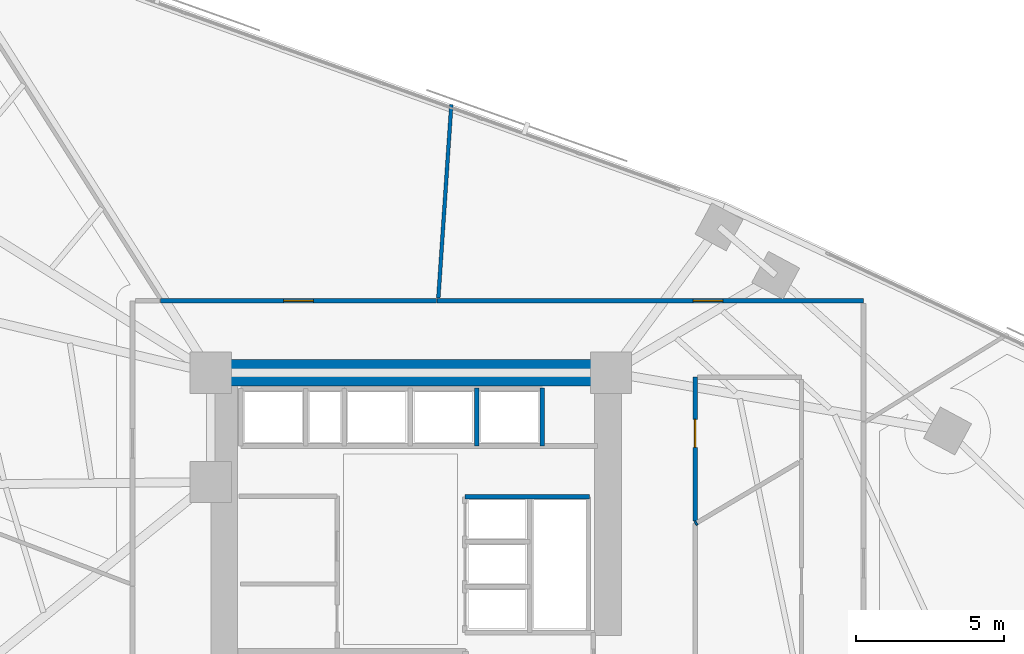
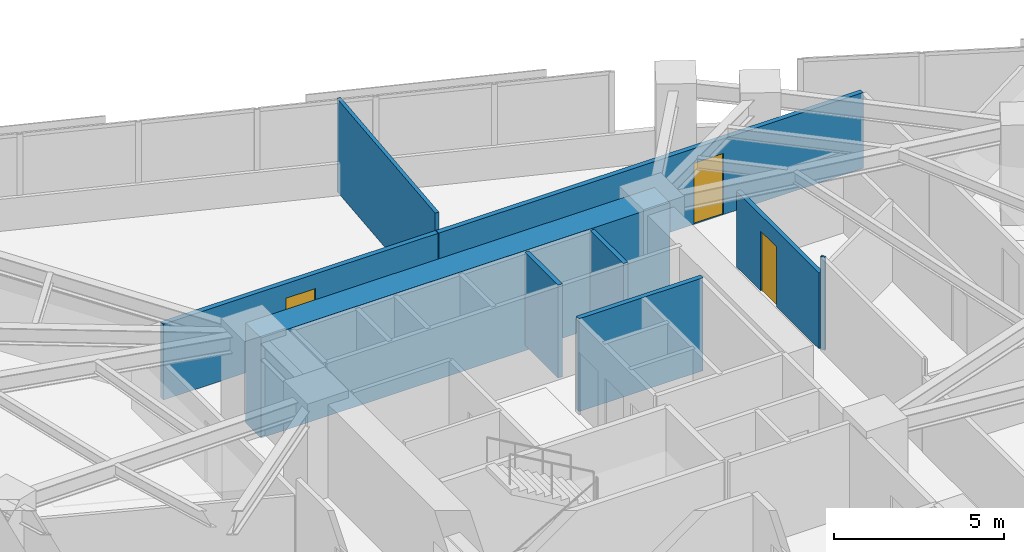
# One storey, part 12 of 16: 9 walls, 3 doors, 3 openings.
"""IFC4 building model written with IfcOpenShell, lengths in metres."""

from ifc_helpers import new_model, si_unit, direction, frame, frame_2d, origin, place, context, subcontext, project, spatial, rectangle, extrude, material, layer, layer_set, type_object, element, fill, save


model = new_model("IFC4")

# Units and contexts
model_context = context("Model", 3, precision=1e-05, world=origin(), true_north=direction((0.0, 1.0)))
body_context = subcontext(model_context, "Body", "Model", "MODEL_VIEW")
ifc_project = project(units=[si_unit("LENGTHUNIT", "METRE"), si_unit("AREAUNIT", "SQUARE_METRE"), si_unit("VOLUMEUNIT", "CUBIC_METRE"), si_unit("PLANEANGLEUNIT", "RADIAN"), si_unit("MASSUNIT", "GRAM", prefix="KILO")], contexts=[model_context])

# Site, building, storey
site_placement = place(None, origin())
site = spatial("IfcSite", under=ifc_project, at=site_placement, CompositionType="ELEMENT")
building_placement = place(site_placement, origin())
building = spatial("IfcBuilding", under=site, at=building_placement, Name="Narakoshi Arena Tower", CompositionType="ELEMENT")
storey_placement = place(building_placement, frame((0.0, 0.0, 153.89990234375)))
storey = spatial("IfcBuildingStorey", under=building, at=storey_placement, Name="L41", CompositionType="ELEMENT", Elevation=153.89990234375)

# Wall
ifc_material_1 = material(Name="Concrete C60/75", Category="concrete")
ifc_layer_1 = layer(ifc_material_1, 0.89990234375)
ifc_layer_set_1 = layer_set([ifc_layer_1], Name="Concrete C60/75")
wall_type_1 = type_object("IfcWallType", Name="WL-CORE-900", PredefinedType="SHEAR", material=ifc_layer_set_1)
wall_1_placement = place(storey_placement, frame((72.0, 56.5, -0.260009765625), z_axis=(0.0, 0.0, 1.0), x_axis=(1.0, 0.0, 0.0)))
element("IfcWall", 1, at=wall_1_placement, inside=storey, type_object=wall_type_1, Name="L41 Main Core Shear Wall CW-MN-N", PredefinedType="SHEAR", context=body_context, shape_type="SweptSolid", body=[
    extrude(rectangle(XDim=13.89990234375, YDim=0.89990234375, at=frame_2d((6.949951171875, 0.0))), origin(), (0.0, 0.0, 1.0), 3.60009765625),
])

# Wall, opening, door
ifc_material_2 = material(Name="Gypsum plasterboard fire-rated partition")
ifc_layer_2 = layer(ifc_material_2, 0.1650390625)
ifc_layer_set_2 = layer_set([ifc_layer_2], Name="Gypsum plasterboard fire-rated partition")
wall_type_2 = type_object("IfcWallType", Name="WL-CORR-165", PredefinedType="PARTITIONING", material=ifc_layer_set_2)
wall_2_placement = place(storey_placement, frame((94.09619140625, 58.93701171875, 0.0), z_axis=(0.0, 0.0, 1.0), x_axis=(-1.0, 0.0, 0.0)))
wall_2 = element("IfcWall", 2, at=wall_2_placement, inside=storey, type_object=wall_type_2, Name="L41 Corridor Partition 06-1", PredefinedType="PARTITIONING", context=body_context, shape_type="SweptSolid", body=[
    extrude(rectangle(XDim=14.433349609375, YDim=0.1650390625, at=frame_2d((7.216796875, 0.0))), origin(), (0.0, 0.0, 1.0), 2.72509765625),
])
opening_1_placement = place(wall_2_placement, frame((4.76171875, 0.0, 0.0)))
opening_1 = element("IfcOpeningElement", 3, at=opening_1_placement, cuts=wall_2, Name="Opening D-06", PredefinedType="OPENING", context=body_context, shape_type="SweptSolid", body=[
    extrude(rectangle(XDim=1.0, YDim=2.199951171875, at=frame_2d((0.5, 1.10009765625))), frame((0.0, 0.092529296875, 0.0), z_axis=(0.0, -1.0, 0.0), x_axis=(1.0, 0.0, 0.0)), (0.0, 0.0, 1.0), 0.18505859375),
])
ifc_material_3 = material(Name="Stained oak solid-core timber", Category="wood")
door_type_1 = type_object("IfcDoorType", Name="DR-OFF-1000", OperationType="NOTDEFINED", PredefinedType="DOOR", material=ifc_material_3)
door_1_placement = place(opening_1_placement, frame((1.0, 0.0, 0.0), z_axis=(0.0, 0.0, 1.0), x_axis=(-1.0, 0.0, 0.0)))
door_1 = element("IfcDoor", 4, at=door_1_placement, inside=storey, type_object=door_type_1, Name="DR-L41-020", OperationType="SINGLE_SWING_RIGHT", OverallHeight=2.199951171875, OverallWidth=1.0, PredefinedType="DOOR", context=body_context, shape_type="SweptSolid", body=[
    extrude(rectangle(XDim=1.0, YDim=2.199951171875, at=frame_2d((0.5, 1.10009765625))), frame((0.0, 0.02490234375, 0.0), z_axis=(0.0, -1.0, 0.0), x_axis=(1.0, 0.0, 0.0)), (0.0, 0.0, 1.0), 0.050048828125),
])
fill(opening_1, door_1)

wall_3_placement = place(storey_placement, frame((79.638916015625, 58.93701171875, 0.0), z_axis=(0.0, 0.0, 1.0), x_axis=(-1.0, 0.0, 0.0)))
wall_3 = element("IfcWall", 5, at=wall_3_placement, inside=storey, type_object=wall_type_2, Name="L41 Corridor Partition 07-1", PredefinedType="PARTITIONING", context=body_context, shape_type="SweptSolid", body=[
    extrude(rectangle(XDim=9.337646484375, YDim=0.1650390625, at=frame_2d((4.6689453125, 0.0))), origin(), (0.0, 0.0, 1.0), 2.72509765625),
])
opening_2_placement = place(wall_3_placement, frame((4.168701171875, 0.0, 0.0)))
opening_2 = element("IfcOpeningElement", 6, at=opening_2_placement, cuts=wall_3, Name="Opening D-06", PredefinedType="OPENING", context=body_context, shape_type="SweptSolid", body=[
    extrude(rectangle(XDim=1.0, YDim=2.199951171875, at=frame_2d((0.5, 1.10009765625))), frame((0.0, 0.092529296875, 0.0), z_axis=(0.0, -1.0, 0.0), x_axis=(1.0, 0.0, 0.0)), (0.0, 0.0, 1.0), 0.18505859375),
])
door_2_placement = place(opening_2_placement, frame((1.0, 0.0, 0.0), z_axis=(0.0, 0.0, 1.0), x_axis=(-1.0, 0.0, 0.0)))
door_2 = element("IfcDoor", 7, at=door_2_placement, inside=storey, type_object=door_type_1, Name="DR-L41-021", OperationType="SINGLE_SWING_LEFT", OverallHeight=2.199951171875, OverallWidth=1.0, PredefinedType="DOOR", context=body_context, shape_type="SweptSolid", body=[
    extrude(rectangle(XDim=1.0, YDim=2.199951171875, at=frame_2d((0.5, 1.10009765625))), frame((0.0, 0.02490234375, 0.0), z_axis=(0.0, -1.0, 0.0), x_axis=(1.0, 0.0, 0.0)), (0.0, 0.0, 1.0), 0.050048828125),
])
fill(opening_2, door_2)

# Walls
ifc_layer_3 = layer(ifc_material_2, 0.125)
ifc_layer_set_3 = layer_set([ifc_layer_3], Name="Gypsum plasterboard fire-rated partition")
wall_type_3 = type_object("IfcWallType", Name="WL-PART-125", PredefinedType="PARTITIONING", material=ifc_layer_set_3)
wall_4_placement = place(storey_placement, frame((79.705078125, 59.031494140625, 0.0), z_axis=(0.0, 0.0, 1.0), x_axis=(0.06697785505, 0.997754462247, 0.0)))
element("IfcWall", 8, at=wall_4_placement, inside=storey, type_object=wall_type_3, Name="L41 Inter-Room Partition 06-07", PredefinedType="PARTITIONING", context=body_context, shape_type="SweptSolid", body=[
    extrude(rectangle(XDim=6.568359375, YDim=0.125, at=frame_2d((3.2841796875, 0.0))), origin(), (0.0, 0.0, 1.0), 3.340087890625),
])
ifc_material_4 = material(Name="Concrete C40/50", Category="concrete")
ifc_layer_4 = layer(ifc_material_4, 0.280029296875)
ifc_layer_set_4 = layer_set([ifc_layer_4], Name="Concrete C40/50")
wall_type_4 = type_object("IfcWallType", Name="WL-RISER-280", PredefinedType="PLUMBINGWALL", material=ifc_layer_set_4)
wall_5_placement = place(storey_placement, frame((81.0, 54.02001953125, 0.0), z_axis=(0.0, 0.0, 1.0), x_axis=(0.0, 1.0, 0.0)))
element("IfcWall", 9, at=wall_5_placement, inside=storey, type_object=wall_type_4, Name="L41 Core Wall HR-D2", PredefinedType="PLUMBINGWALL", context=body_context, shape_type="SweptSolid", body=[
    extrude(rectangle(XDim=1.9599609375, YDim=0.14990234375, at=frame_2d((0.97998046875, 0.0))), origin(), (0.0, 0.0, 1.0), 3.340087890625),
])
ifc_material_5 = material(Name="Concrete C50/60", Category="concrete")
ifc_layer_5 = layer(ifc_material_5, 0.35009765625)
ifc_layer_set_5 = layer_set([ifc_layer_5], Name="Concrete C50/60")
wall_type_5 = type_object("IfcWallType", Name="WL-SHAFT-350", PredefinedType="SOLIDWALL", material=ifc_layer_set_5)
wall_6_placement = place(storey_placement, frame((80.60009765625, 52.300048828125, 0.0), z_axis=(0.0, 0.0, 1.0), x_axis=(1.0, 0.0, 0.0)))
element("IfcWall", 10, at=wall_6_placement, inside=storey, type_object=wall_type_5, Name="L41 Core Wall MR-N", PredefinedType="SOLIDWALL", context=body_context, shape_type="SweptSolid", body=[
    extrude(rectangle(XDim=4.219970703125, YDim=0.159912109375, at=frame_2d((2.10986328125, 0.0))), origin(), (0.0, 0.0, 1.0), 3.340087890625),
])
wall_7_placement = place(storey_placement, frame((83.219970703125, 54.02001953125, 0.0), z_axis=(0.0, 0.0, 1.0), x_axis=(0.0, 1.0, 0.0)))
element("IfcWall", 11, at=wall_7_placement, inside=storey, type_object=wall_type_5, Name="L41 Core Wall HR-E", PredefinedType="SOLIDWALL", context=body_context, shape_type="SweptSolid", body=[
    extrude(rectangle(XDim=1.9599609375, YDim=0.14990234375, at=frame_2d((0.97998046875, 0.0))), origin(), (0.0, 0.0, 1.0), 3.340087890625),
])
ifc_material_6 = material(Name="Moisture-resistant cement-board partition")
ifc_layer_6 = layer(ifc_material_6, 0.14501953125)
ifc_layer_set_6 = layer_set([ifc_layer_6], Name="Moisture-resistant cement-board partition")
wall_type_6 = type_object("IfcWallType", Name="WL-WET-145", PredefinedType="PARTITIONING", material=ifc_layer_set_6)
wall_8_placement = place(storey_placement, frame((88.39990234375, 51.388427734375, 0.0), z_axis=(0.0, 0.0, 1.0), x_axis=(0.855337907093, 0.518070520963, 0.0)))
element("IfcWall", 12, at=wall_8_placement, inside=storey, type_object=wall_type_6, Name="L41 Corridor Partition 04-3", PredefinedType="PARTITIONING", context=body_context, shape_type="SweptSolid", body=[
    extrude(rectangle(XDim=0.0703125, YDim=0.14501953125, at=frame_2d((0.03515625, 0.0))), origin(), (0.0, 0.0, 1.0), 3.340087890625),
])

# Wall, opening, door
wall_9_placement = place(storey_placement, frame((88.39990234375, 51.4873046875, 0.0), z_axis=(0.0, 0.0, 1.0), x_axis=(0.0, 1.0, 0.0)))
wall_9 = element("IfcWall", 13, at=wall_9_placement, inside=storey, type_object=wall_type_6, Name="L41 Corridor Partition 05-1", PredefinedType="PARTITIONING", context=body_context, shape_type="SweptSolid", body=[
    extrude(rectangle(XDim=4.86279296875, YDim=0.14501953125, at=frame_2d((2.431396484375, 0.0))), origin(), (0.0, 0.0, 1.0), 2.72509765625),
])
opening_3_placement = place(wall_9_placement, frame((2.4833984375, 0.0, 0.0)))
opening_3 = element("IfcOpeningElement", 14, at=opening_3_placement, cuts=wall_9, Name="Opening D-07", PredefinedType="OPENING", context=body_context, shape_type="SweptSolid", body=[
    extrude(rectangle(XDim=0.949951171875, YDim=2.14990234375, at=frame_2d((0.47509765625, 1.074951171875))), frame((0.0, 0.08251953125, 0.0), z_axis=(0.0, -1.0, 0.0), x_axis=(1.0, 0.0, 0.0)), (0.0, 0.0, 1.0), 0.1650390625),
])
door_type_2 = type_object("IfcDoorType", Name="DR-ACC-950", OperationType="NOTDEFINED", PredefinedType="DOOR", material=ifc_material_3)
door_3_placement = place(opening_3_placement, frame((0.949951171875, 0.0, 0.0), z_axis=(0.0, 0.0, 1.0), x_axis=(-1.0, 0.0, 0.0)))
door_3 = element("IfcDoor", 15, at=door_3_placement, inside=storey, type_object=door_type_2, Name="DR-L41-019", OperationType="SINGLE_SWING_LEFT", OverallHeight=2.14990234375, OverallWidth=0.949951171875, PredefinedType="DOOR", context=body_context, shape_type="SweptSolid", body=[
    extrude(rectangle(XDim=0.949951171875, YDim=2.14990234375, at=frame_2d((0.47509765625, 1.074951171875))), frame((0.0, 0.02490234375, 0.0), z_axis=(0.0, -1.0, 0.0), x_axis=(1.0, 0.0, 0.0)), (0.0, 0.0, 1.0), 0.050048828125),
])
fill(opening_3, door_3)

save(model, "model.ifc")
